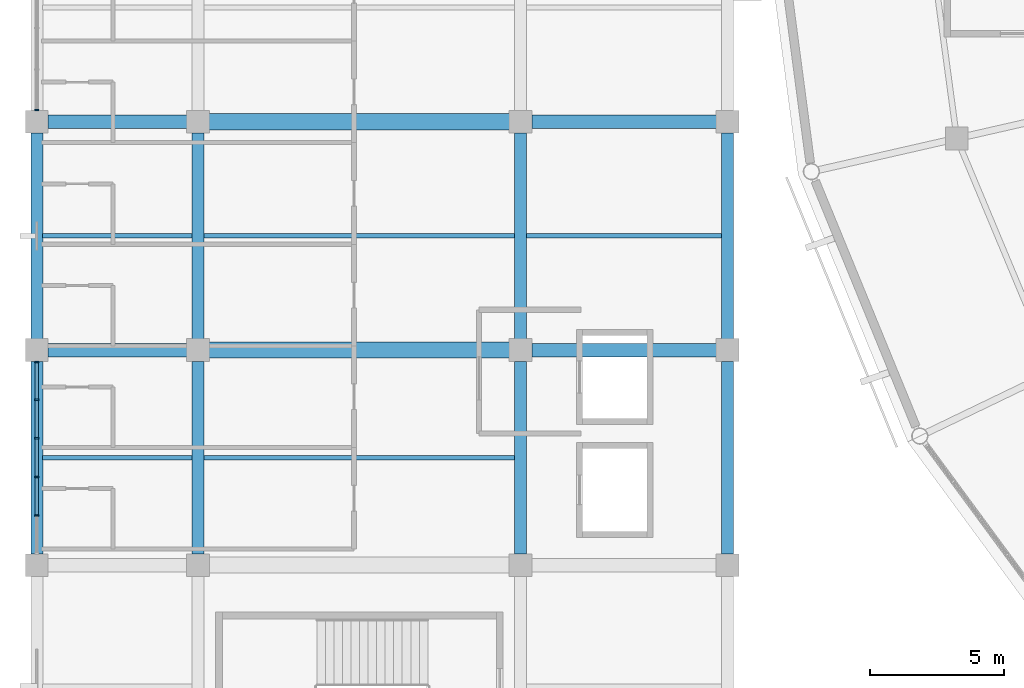
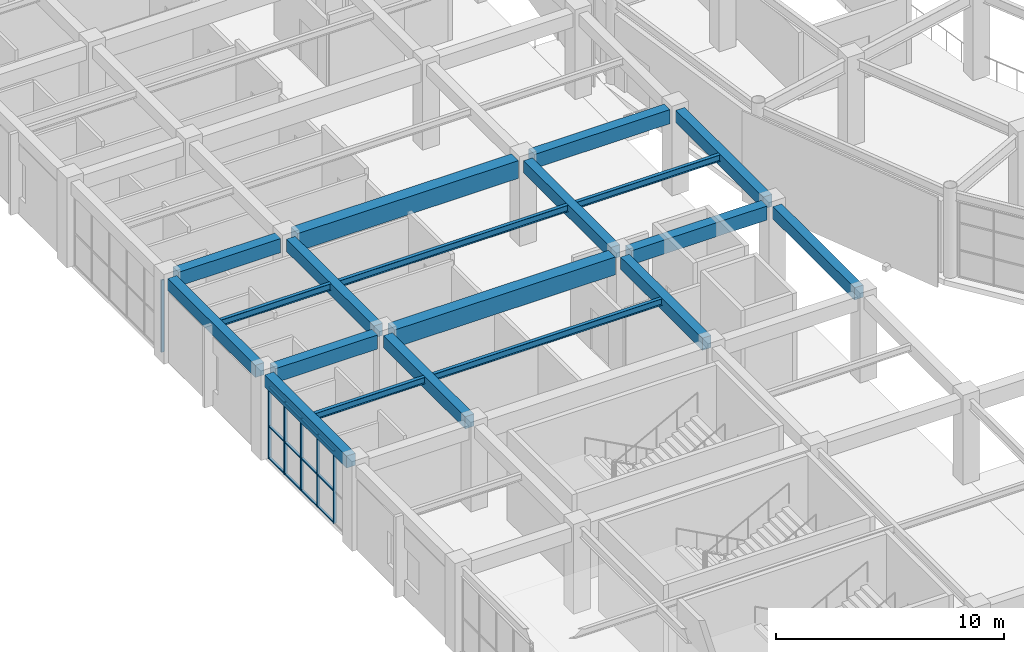
# One storey, part 21 of 112: 19 beams, 18 members, 2 elements without a shape of their own.
"""IFC4 building model written with IfcOpenShell, lengths in metres."""

from ifc_helpers import new_model, si_unit, direction, frame, origin, origin_2d, place, context, subcontext, project, spatial, rectangle, i_section, extrude, material, material_profile, profile_set, type_object, element, aggregate, save


model = new_model("IFC4")

# Units and contexts
model_context = context("Model", 3, precision=1e-05, world=origin(), true_north=direction((0.0, 1.0)))
body_context = subcontext(model_context, "Body", "Model", "MODEL_VIEW")
ifc_project = project(units=[si_unit("LENGTHUNIT", "METRE"), si_unit("AREAUNIT", "SQUARE_METRE"), si_unit("VOLUMEUNIT", "CUBIC_METRE"), si_unit("PLANEANGLEUNIT", "RADIAN"), si_unit("MASSUNIT", "GRAM", prefix="KILO")], contexts=[model_context])

# Site, building, storey
site_placement = place(None, origin())
site = spatial("IfcSite", under=ifc_project, at=site_placement, CompositionType="ELEMENT")
building_placement = place(site_placement, origin())
building = spatial("IfcBuilding", under=site, at=building_placement, Name="Cuetzalor Civic Arena", CompositionType="ELEMENT")
storey_placement = place(building_placement, frame((0.0, 0.0, 11.39990234375)))
storey = spatial("IfcBuildingStorey", under=building, at=storey_placement, Name="L02", CompositionType="ELEMENT", Elevation=11.39990234375)

# Beams
ifc_material_1 = material(Name="Concrete C40/50", Category="concrete")
ifc_material_profile_1 = material_profile(ifc_material_1, rectangle(XDim=0.5, YDim=0.75, at=origin_2d()), Name="RC 500x750")
ifc_profile_set_1 = profile_set([ifc_material_profile_1], Name="Concrete C40/50")
beam_type_1 = type_object("IfcBeamType", Name="ConcreteFrameBeam_500x750", PredefinedType="BEAM", material=ifc_profile_set_1)
beam_1_placement = place(storey_placement, frame((-81.5849609375, -17.0, 4.14501953125), z_axis=(1.0, 0.0, 0.0), x_axis=(0.0, 1.0, 0.0)))
element("IfcBeam", 1, at=beam_1_placement, inside=storey, type_object=beam_type_1, Name="Frame Girder V4W-L02-X0637", PredefinedType="BEAM", context=body_context, shape_type="SweptSolid", body=[
    extrude(rectangle(XDim=0.5, YDim=0.75, at=origin_2d()), origin(), (0.0, 0.0, 1.0), 5.169921875),
])
beam_2_placement = place(storey_placement, frame((-63.5849609375, -17.0, 4.14501953125), z_axis=(1.0, 0.0, 0.0), x_axis=(0.0, 1.0, 0.0)))
element("IfcBeam", 2, at=beam_2_placement, inside=storey, type_object=beam_type_1, Name="Frame Girder V4W-L02-X0639", PredefinedType="BEAM", context=body_context, shape_type="SweptSolid", body=[
    extrude(rectangle(XDim=0.5, YDim=0.75, at=origin_2d()), origin(), (0.0, 0.0, 1.0), 6.869873046875),
])
beam_3_placement = place(storey_placement, frame((-81.5849609375, -8.5, 4.14501953125), z_axis=(1.0, 0.0, 0.0), x_axis=(0.0, 1.0, 0.0)))
element("IfcBeam", 3, at=beam_3_placement, inside=storey, type_object=beam_type_1, Name="Frame Girder V4W-L02-X0640", PredefinedType="BEAM", context=body_context, shape_type="SweptSolid", body=[
    extrude(rectangle(XDim=0.5, YDim=0.75, at=origin_2d()), origin(), (0.0, 0.0, 1.0), 5.169921875),
])
beam_4_placement = place(storey_placement, frame((-63.5849609375, -8.5, 4.14501953125), z_axis=(1.0, 0.0, 0.0), x_axis=(0.0, 1.0, 0.0)))
element("IfcBeam", 4, at=beam_4_placement, inside=storey, type_object=beam_type_1, Name="Frame Girder V4W-L02-X0642", PredefinedType="BEAM", context=body_context, shape_type="SweptSolid", body=[
    extrude(rectangle(XDim=0.5, YDim=0.75, at=origin_2d()), origin(), (0.0, 0.0, 1.0), 6.869873046875),
])
ifc_material_2 = material(Name="Concrete C40/50", Category="concrete")
ifc_material_profile_2 = material_profile(ifc_material_2, rectangle(XDim=0.60009765625, YDim=0.949951171875, at=origin_2d()), Name="RC 600x950")
ifc_profile_set_2 = profile_set([ifc_material_profile_2], Name="Concrete C40/50")
beam_type_2 = type_object("IfcBeamType", Name="ConcreteFrameBeam_600x950", PredefinedType="BEAM", material=ifc_profile_set_2)
for number, where, z_axis, x_axis, name in (
    (5, (-75.5849609375, -17.0, 4.045166015625), (1.0, 0.0, 0.0), (0.0, 1.0, 0.0), "Frame Girder V4W-L02-X0638"),
    (6, (-75.5849609375, -8.5, 4.045166015625), (1.0, 0.0, 0.0), (0.0, 1.0, 0.0), "Frame Girder V4W-L02-X0641"),
):
    element("IfcBeam", number, at=place(storey_placement, frame(where, z_axis=z_axis, x_axis=x_axis)), inside=storey, type_object=beam_type_2, Name=name, PredefinedType="BEAM", context=body_context, shape_type="SweptSolid", body=[
        extrude(rectangle(XDim=0.60009765625, YDim=0.949951171875, at=origin_2d()), origin(), (0.0, 0.0, 1.0), 11.169921875),
    ])
ifc_material_3 = material(Name="Concrete C40/50", Category="concrete")
ifc_material_profile_3 = material_profile(ifc_material_3, rectangle(XDim=0.449951171875, YDim=0.64990234375, at=origin_2d()), Name="RC 450x650")
ifc_profile_set_3 = profile_set([ifc_material_profile_3], Name="Concrete C40/50")
beam_type_3 = type_object("IfcBeamType", Name="ConcreteTieBeam_450x650", PredefinedType="BEAM", material=ifc_profile_set_3)
beam_5_placement = place(storey_placement, frame((-82.0, -24.5849609375, 4.195068359375), z_axis=(0.0, 1.0, 0.0), x_axis=(-1.0, 0.0, 0.0)))
element("IfcBeam", 7, at=beam_5_placement, inside=storey, type_object=beam_type_3, Name="Frame Girder V4W-L02-Y0661", PredefinedType="BEAM", context=body_context, shape_type="SweptSolid", body=[
    extrude(rectangle(XDim=0.449951171875, YDim=0.64990234375, at=origin_2d()), origin(), (0.0, 0.0, 1.0), 7.169921875),
])
beam_6_placement = place(storey_placement, frame((-82.0, -16.5849609375, 4.195068359375), z_axis=(0.0, 1.0, 0.0), x_axis=(-1.0, 0.0, 0.0)))
element("IfcBeam", 8, at=beam_6_placement, inside=storey, type_object=beam_type_3, Name="Frame Girder V4W-L02-Y0662", PredefinedType="BEAM", context=body_context, shape_type="SweptSolid", body=[
    extrude(rectangle(XDim=0.449951171875, YDim=0.64990234375, at=origin_2d()), origin(), (0.0, 0.0, 1.0), 7.669921875),
])
beam_7_placement = place(storey_placement, frame((-76.0, -24.5849609375, 4.195068359375), z_axis=(0.0, 1.0, 0.0), x_axis=(-1.0, 0.0, 0.0)))
element("IfcBeam", 9, at=beam_7_placement, inside=storey, type_object=beam_type_3, Name="Frame Girder V4W-L02-Y0671", PredefinedType="BEAM", context=body_context, shape_type="SweptSolid", body=[
    extrude(rectangle(XDim=0.449951171875, YDim=0.64990234375, at=origin_2d()), origin(), (0.0, 0.0, 1.0), 7.169921875),
])
beam_8_placement = place(storey_placement, frame((-76.0, -16.5849609375, 4.195068359375), z_axis=(0.0, 1.0, 0.0), x_axis=(-1.0, 0.0, 0.0)))
element("IfcBeam", 10, at=beam_8_placement, inside=storey, type_object=beam_type_3, Name="Frame Girder V4W-L02-Y0672", PredefinedType="BEAM", context=body_context, shape_type="SweptSolid", body=[
    extrude(rectangle(XDim=0.449951171875, YDim=0.64990234375, at=origin_2d()), origin(), (0.0, 0.0, 1.0), 7.669921875),
])
beam_9_placement = place(storey_placement, frame((-64.0, -24.5849609375, 4.195068359375), z_axis=(0.0, 1.0, 0.0), x_axis=(-1.0, 0.0, 0.0)))
element("IfcBeam", 11, at=beam_9_placement, inside=storey, type_object=beam_type_3, Name="Frame Girder V4W-L02-Y0681", PredefinedType="BEAM", context=body_context, shape_type="SweptSolid", body=[
    extrude(rectangle(XDim=0.449951171875, YDim=0.64990234375, at=origin_2d()), origin(), (0.0, 0.0, 1.0), 7.169921875),
])
beam_10_placement = place(storey_placement, frame((-64.0, -16.5849609375, 4.195068359375), z_axis=(0.0, 1.0, 0.0), x_axis=(-1.0, 0.0, 0.0)))
element("IfcBeam", 12, at=beam_10_placement, inside=storey, type_object=beam_type_3, Name="Frame Girder V4W-L02-Y0682", PredefinedType="BEAM", context=body_context, shape_type="SweptSolid", body=[
    extrude(rectangle(XDim=0.449951171875, YDim=0.64990234375, at=origin_2d()), origin(), (0.0, 0.0, 1.0), 7.669921875),
])
beam_11_placement = place(storey_placement, frame((-56.300048828125, -24.5849609375, 4.195068359375), z_axis=(0.0, 1.0, 0.0), x_axis=(-1.0, 0.0, 0.0)))
element("IfcBeam", 13, at=beam_11_placement, inside=storey, type_object=beam_type_3, Name="Frame Girder V4W-L02-Y0691", PredefinedType="BEAM", context=body_context, shape_type="SweptSolid", body=[
    extrude(rectangle(XDim=0.449951171875, YDim=0.64990234375, at=origin_2d()), origin(), (0.0, 0.0, 1.0), 7.169921875),
])
beam_12_placement = place(storey_placement, frame((-56.300048828125, -16.5849609375, 4.195068359375), z_axis=(0.0, 1.0, 0.0), x_axis=(-1.0, 0.0, 0.0)))
element("IfcBeam", 14, at=beam_12_placement, inside=storey, type_object=beam_type_3, Name="Frame Girder V4W-L02-Y0692", PredefinedType="BEAM", context=body_context, shape_type="SweptSolid", body=[
    extrude(rectangle(XDim=0.449951171875, YDim=0.64990234375, at=origin_2d()), origin(), (0.0, 0.0, 1.0), 7.669921875),
])

# Curtain wall, members
ifc_material_4 = material(Name="Anodised dark bronze aluminium and low-E solar glass", Category="aluminium")
curtain_wall_type_1 = type_object("IfcCurtainWallType", Name="UnitisedCW_7200x3850", PredefinedType="USERDEFINED", material=ifc_material_4)
curtain_wall_1_placement = place(storey_placement, origin())
curtain_wall_1 = element("IfcCurtainWall", 15, at=curtain_wall_1_placement, inside=storey, type_object=curtain_wall_type_1, Name="V4W Suite Viewing Curtain Wall L02-114", ObjectType="UNITISED CURTAIN WALL", PredefinedType="USERDEFINED")
ifc_material_5 = material(Name="Anodised dark bronze aluminium", Category="aluminium")
ifc_material_profile_4 = material_profile(ifc_material_5, rectangle(XDim=0.06494140625, YDim=0.14990234375, at=origin_2d()), Name="ALU MULLION 65x150")
ifc_profile_set_4 = profile_set([ifc_material_profile_4], Name="Anodised dark bronze aluminium")
member_type_1 = type_object("IfcMemberType", Name="CurtainWallMullion_60x150", PredefinedType="MULLION", material=ifc_profile_set_4)
member_1_placement = place(storey_placement, frame((-82.0, -23.15576171875, 0.0), z_axis=(0.0, 0.0, 1.0), x_axis=(0.0, 1.0, 0.0)))
member_1 = element("IfcMember", 16, at=member_1_placement, type_object=member_type_1, Name="CW-41 mullion 2", PredefinedType="MULLION", context=body_context, shape_type="SweptSolid", body=[
    extrude(rectangle(XDim=0.06494140625, YDim=0.14990234375, at=origin_2d()), origin(), (0.0, 0.0, 1.0), 3.860107421875),
])
member_2_placement = place(storey_placement, frame((-82.0, -21.718505859375, 0.0), z_axis=(0.0, 0.0, 1.0), x_axis=(0.0, 1.0, 0.0)))
member_2 = element("IfcMember", 17, at=member_2_placement, type_object=member_type_1, Name="CW-41 mullion 3", PredefinedType="MULLION", context=body_context, shape_type="SweptSolid", body=[
    extrude(rectangle(XDim=0.06494140625, YDim=0.14990234375, at=origin_2d()), origin(), (0.0, 0.0, 1.0), 3.860107421875),
])
member_3_placement = place(storey_placement, frame((-82.0, -20.281494140625, 0.0), z_axis=(0.0, 0.0, 1.0), x_axis=(0.0, 1.0, 0.0)))
member_3 = element("IfcMember", 18, at=member_3_placement, type_object=member_type_1, Name="CW-41 mullion 4", PredefinedType="MULLION", context=body_context, shape_type="SweptSolid", body=[
    extrude(rectangle(XDim=0.06494140625, YDim=0.14990234375, at=origin_2d()), origin(), (0.0, 0.0, 1.0), 3.860107421875),
])
member_4_placement = place(storey_placement, frame((-82.0, -18.84423828125, 0.0), z_axis=(0.0, 0.0, 1.0), x_axis=(0.0, 1.0, 0.0)))
member_4 = element("IfcMember", 19, at=member_4_placement, type_object=member_type_1, Name="CW-41 mullion 5", PredefinedType="MULLION", context=body_context, shape_type="SweptSolid", body=[
    extrude(rectangle(XDim=0.06494140625, YDim=0.14990234375, at=origin_2d()), origin(), (0.0, 0.0, 1.0), 3.860107421875),
])
member_5_placement = place(storey_placement, frame((-82.0, -17.439453125, 0.0), z_axis=(0.0, 0.0, 1.0), x_axis=(0.0, 1.0, 0.0)))
member_5 = element("IfcMember", 20, at=member_5_placement, type_object=member_type_1, Name="CW-41 mullion 6", PredefinedType="MULLION", context=body_context, shape_type="SweptSolid", body=[
    extrude(rectangle(XDim=0.06494140625, YDim=0.14990234375, at=origin_2d()), origin(), (0.0, 0.0, 1.0), 3.860107421875),
])

# Curtain wall, member
ifc_material_6 = material(Name="Anodised dark bronze aluminium and low-E solar glass", Category="aluminium")
curtain_wall_type_2 = type_object("IfcCurtainWallType", Name="UnitisedCW_7700x3850", PredefinedType="USERDEFINED", material=ifc_material_6)
curtain_wall_2_placement = place(storey_placement, origin())
curtain_wall_2 = element("IfcCurtainWall", 21, at=curtain_wall_2_placement, inside=storey, type_object=curtain_wall_type_2, Name="V4W Suite Viewing Curtain Wall L02-115", ObjectType="UNITISED CURTAIN WALL", PredefinedType="USERDEFINED")
member_6_placement = place(storey_placement, frame((-82.0, -8.060546875, 0.0), z_axis=(0.0, 0.0, 1.0), x_axis=(0.0, 1.0, 0.0)))
member_6 = element("IfcMember", 22, at=member_6_placement, type_object=member_type_1, Name="CW-42 mullion 1", PredefinedType="MULLION", context=body_context, shape_type="SweptSolid", body=[
    extrude(rectangle(XDim=0.06494140625, YDim=0.14990234375, at=origin_2d()), origin(), (0.0, 0.0, 1.0), 3.860107421875),
])
aggregate(curtain_wall_2, [member_6])

# Member
ifc_material_7 = material(Name="Anodised dark bronze aluminium", Category="aluminium")
ifc_material_profile_5 = material_profile(ifc_material_7, rectangle(XDim=0.1201171875, YDim=0.06494140625, at=origin_2d()), Name="ALU TRANSOM 65x120")
ifc_profile_set_5 = profile_set([ifc_material_profile_5], Name="Anodised dark bronze aluminium")
member_type_2 = type_object("IfcMemberType", Name="CurtainWallTransom_60x120", PredefinedType="USERDEFINED", material=ifc_profile_set_5)
member_7_placement = place(storey_placement, frame((-82.0, -23.123291015625, 0.03271484375), z_axis=(0.0, 1.0, 0.0), x_axis=(-1.0, 0.0, 0.0)))
member_7 = element("IfcMember", 23, at=member_7_placement, type_object=member_type_2, Name="CW-41 transom 2.1", ObjectType="TRANSOM", PredefinedType="USERDEFINED", context=body_context, shape_type="SweptSolid", body=[
    extrude(rectangle(XDim=0.1201171875, YDim=0.06494140625, at=origin_2d()), origin(), (0.0, 0.0, 1.0), 1.3720703125),
])

member_8_placement = place(storey_placement, frame((-82.0, -23.123291015625, 1.737060546875), z_axis=(0.0, 1.0, 0.0), x_axis=(-1.0, 0.0, 0.0)))
member_8 = element("IfcMember", 24, at=member_8_placement, type_object=member_type_2, Name="CW-41 transom 2.2", ObjectType="TRANSOM", PredefinedType="USERDEFINED", context=body_context, shape_type="SweptSolid", body=[
    extrude(rectangle(XDim=0.1201171875, YDim=0.06494140625, at=origin_2d()), origin(), (0.0, 0.0, 1.0), 1.3720703125),
])

member_9_placement = place(storey_placement, frame((-82.0, -23.123291015625, 3.82763671875), z_axis=(0.0, 1.0, 0.0), x_axis=(-1.0, 0.0, 0.0)))
member_9 = element("IfcMember", 25, at=member_9_placement, type_object=member_type_2, Name="CW-41 transom 2.3", ObjectType="TRANSOM", PredefinedType="USERDEFINED", context=body_context, shape_type="SweptSolid", body=[
    extrude(rectangle(XDim=0.1201171875, YDim=0.06494140625, at=origin_2d()), origin(), (0.0, 0.0, 1.0), 1.3720703125),
])

member_10_placement = place(storey_placement, frame((-82.0, -21.68603515625, 0.03271484375), z_axis=(0.0, 1.0, 0.0), x_axis=(-1.0, 0.0, 0.0)))
member_10 = element("IfcMember", 26, at=member_10_placement, type_object=member_type_2, Name="CW-41 transom 3.1", ObjectType="TRANSOM", PredefinedType="USERDEFINED", context=body_context, shape_type="SweptSolid", body=[
    extrude(rectangle(XDim=0.1201171875, YDim=0.06494140625, at=origin_2d()), origin(), (0.0, 0.0, 1.0), 1.3720703125),
])

member_11_placement = place(storey_placement, frame((-82.0, -21.68603515625, 1.737060546875), z_axis=(0.0, 1.0, 0.0), x_axis=(-1.0, 0.0, 0.0)))
member_11 = element("IfcMember", 27, at=member_11_placement, type_object=member_type_2, Name="CW-41 transom 3.2", ObjectType="TRANSOM", PredefinedType="USERDEFINED", context=body_context, shape_type="SweptSolid", body=[
    extrude(rectangle(XDim=0.1201171875, YDim=0.06494140625, at=origin_2d()), origin(), (0.0, 0.0, 1.0), 1.3720703125),
])

member_12_placement = place(storey_placement, frame((-82.0, -21.68603515625, 3.82763671875), z_axis=(0.0, 1.0, 0.0), x_axis=(-1.0, 0.0, 0.0)))
member_12 = element("IfcMember", 28, at=member_12_placement, type_object=member_type_2, Name="CW-41 transom 3.3", ObjectType="TRANSOM", PredefinedType="USERDEFINED", context=body_context, shape_type="SweptSolid", body=[
    extrude(rectangle(XDim=0.1201171875, YDim=0.06494140625, at=origin_2d()), origin(), (0.0, 0.0, 1.0), 1.3720703125),
])

member_13_placement = place(storey_placement, frame((-82.0, -20.248779296875, 0.03271484375), z_axis=(0.0, 1.0, 0.0), x_axis=(-1.0, 0.0, 0.0)))
member_13 = element("IfcMember", 29, at=member_13_placement, type_object=member_type_2, Name="CW-41 transom 4.1", ObjectType="TRANSOM", PredefinedType="USERDEFINED", context=body_context, shape_type="SweptSolid", body=[
    extrude(rectangle(XDim=0.1201171875, YDim=0.06494140625, at=origin_2d()), origin(), (0.0, 0.0, 1.0), 1.3720703125),
])

member_14_placement = place(storey_placement, frame((-82.0, -20.248779296875, 1.737060546875), z_axis=(0.0, 1.0, 0.0), x_axis=(-1.0, 0.0, 0.0)))
member_14 = element("IfcMember", 30, at=member_14_placement, type_object=member_type_2, Name="CW-41 transom 4.2", ObjectType="TRANSOM", PredefinedType="USERDEFINED", context=body_context, shape_type="SweptSolid", body=[
    extrude(rectangle(XDim=0.1201171875, YDim=0.06494140625, at=origin_2d()), origin(), (0.0, 0.0, 1.0), 1.3720703125),
])

member_15_placement = place(storey_placement, frame((-82.0, -20.248779296875, 3.82763671875), z_axis=(0.0, 1.0, 0.0), x_axis=(-1.0, 0.0, 0.0)))
member_15 = element("IfcMember", 31, at=member_15_placement, type_object=member_type_2, Name="CW-41 transom 4.3", ObjectType="TRANSOM", PredefinedType="USERDEFINED", context=body_context, shape_type="SweptSolid", body=[
    extrude(rectangle(XDim=0.1201171875, YDim=0.06494140625, at=origin_2d()), origin(), (0.0, 0.0, 1.0), 1.3720703125),
])

member_16_placement = place(storey_placement, frame((-82.0, -18.811767578125, 0.03271484375), z_axis=(0.0, 1.0, 0.0), x_axis=(-1.0, 0.0, 0.0)))
member_16 = element("IfcMember", 32, at=member_16_placement, type_object=member_type_2, Name="CW-41 transom 5.1", ObjectType="TRANSOM", PredefinedType="USERDEFINED", context=body_context, shape_type="SweptSolid", body=[
    extrude(rectangle(XDim=0.1201171875, YDim=0.06494140625, at=origin_2d()), origin(), (0.0, 0.0, 1.0), 1.33984375),
])

member_17_placement = place(storey_placement, frame((-82.0, -18.811767578125, 1.737060546875), z_axis=(0.0, 1.0, 0.0), x_axis=(-1.0, 0.0, 0.0)))
member_17 = element("IfcMember", 33, at=member_17_placement, type_object=member_type_2, Name="CW-41 transom 5.2", ObjectType="TRANSOM", PredefinedType="USERDEFINED", context=body_context, shape_type="SweptSolid", body=[
    extrude(rectangle(XDim=0.1201171875, YDim=0.06494140625, at=origin_2d()), origin(), (0.0, 0.0, 1.0), 1.33984375),
])

member_18_placement = place(storey_placement, frame((-82.0, -18.811767578125, 3.82763671875), z_axis=(0.0, 1.0, 0.0), x_axis=(-1.0, 0.0, 0.0)))
member_18 = element("IfcMember", 34, at=member_18_placement, type_object=member_type_2, Name="CW-41 transom 5.3", ObjectType="TRANSOM", PredefinedType="USERDEFINED", context=body_context, shape_type="SweptSolid", body=[
    extrude(rectangle(XDim=0.1201171875, YDim=0.06494140625, at=origin_2d()), origin(), (0.0, 0.0, 1.0), 1.33984375),
])

aggregate(curtain_wall_1, [member_1, member_2, member_3, member_4, member_5, member_7, member_8, member_9, member_10, member_11, member_12, member_13, member_14, member_15, member_16, member_17, member_18])

# Beams
ifc_material_8 = material(Name="Steel S355", Category="steel")
ifc_material_profile_6 = material_profile(ifc_material_8, i_section(OverallWidth=0.1708984375, OverallDepth=0.35498046875, WebThickness=0.007080078125, FlangeThickness=0.01171875, at=origin_2d()), Name="W360x51")
ifc_profile_set_6 = profile_set([ifc_material_profile_6], Name="Steel S355")
beam_type_4 = type_object("IfcBeamType", Name="SecondaryFloorJoist_W360", PredefinedType="JOIST", material=ifc_profile_set_6)
for number, where, z_axis, x_axis, name in (
    (35, (-81.782958984375, -21.0, 4.342529296875), (1.0, 0.0, 0.0), (0.0, 1.0, 0.0), "Secondary Floor Joist V4W-L02-0192"),
    (36, (-81.782958984375, -12.75, 4.342529296875), (1.0, 0.0, 0.0), (0.0, 1.0, 0.0), "Secondary Floor Joist V4W-L02-0193"),
):
    element("IfcBeam", number, at=place(storey_placement, frame(where, z_axis=z_axis, x_axis=x_axis)), inside=storey, type_object=beam_type_4, Name=name, PredefinedType="JOIST", context=body_context, shape_type="SweptSolid", body=[
        extrude(i_section(OverallWidth=0.1708984375, OverallDepth=0.35498046875, WebThickness=0.007080078125, FlangeThickness=0.01171875, at=origin_2d()), origin(), (0.0, 0.0, 1.0), 5.56591796875),
    ])
for number, where, z_axis, x_axis, name in (
    (37, (-75.782958984375, -21.0, 4.342529296875), (1.0, 0.0, 0.0), (0.0, 1.0, 0.0), "Secondary Floor Joist V4W-L02-0200"),
    (38, (-75.782958984375, -12.75, 4.342529296875), (1.0, 0.0, 0.0), (0.0, 1.0, 0.0), "Secondary Floor Joist V4W-L02-0201"),
):
    element("IfcBeam", number, at=place(storey_placement, frame(where, z_axis=z_axis, x_axis=x_axis)), inside=storey, type_object=beam_type_4, Name=name, PredefinedType="JOIST", context=body_context, shape_type="SweptSolid", body=[
        extrude(i_section(OverallWidth=0.1708984375, OverallDepth=0.35498046875, WebThickness=0.007080078125, FlangeThickness=0.01171875, at=origin_2d()), origin(), (0.0, 0.0, 1.0), 11.56591796875),
    ])
beam_13_placement = place(storey_placement, frame((-63.782958984375, -12.75, 4.342529296875), z_axis=(1.0, 0.0, 0.0), x_axis=(0.0, 1.0, 0.0)))
element("IfcBeam", 39, at=beam_13_placement, inside=storey, type_object=beam_type_4, Name="Secondary Floor Joist V4W-L02-0209", PredefinedType="JOIST", context=body_context, shape_type="SweptSolid", body=[
    extrude(i_section(OverallWidth=0.1708984375, OverallDepth=0.35498046875, WebThickness=0.007080078125, FlangeThickness=0.01171875, at=origin_2d()), origin(), (0.0, 0.0, 1.0), 7.265869140625),
])

save(model, "model.ifc")
